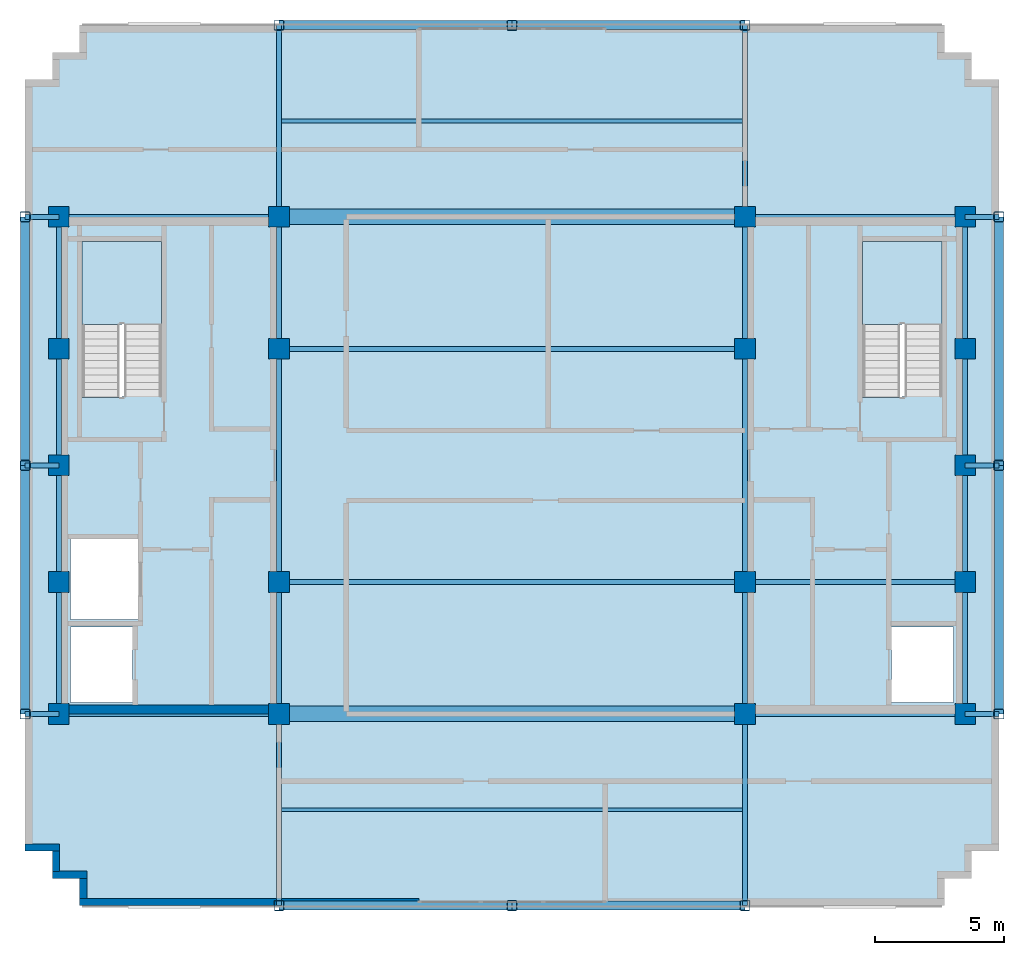
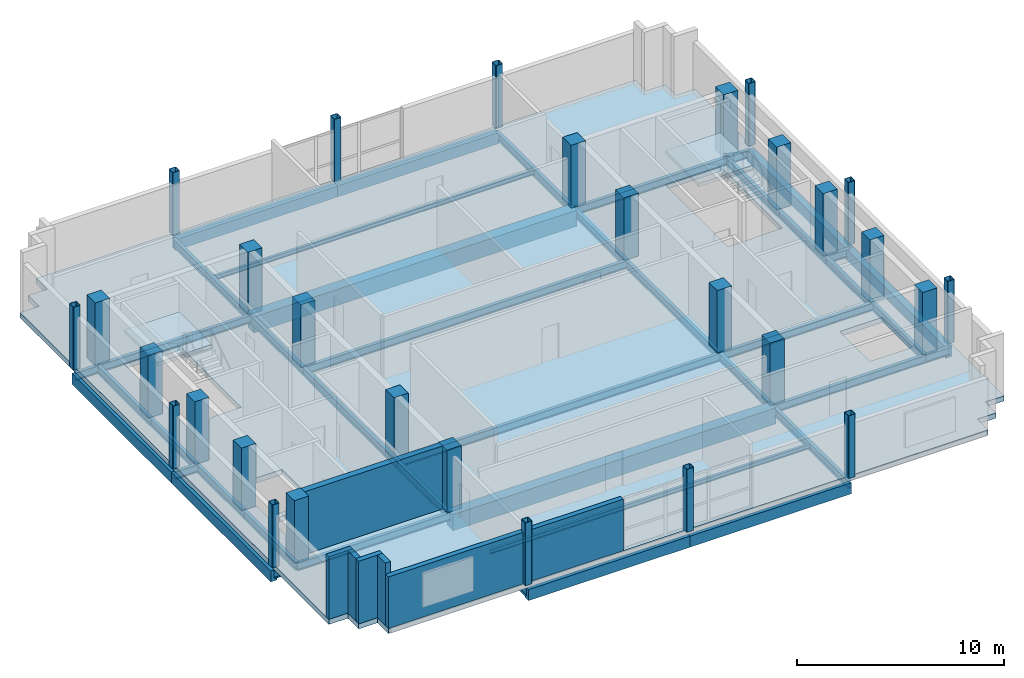
# One storey, part 1 of 10: 43 beams, 30 columns, 6 walls, 3 slabs, 2 elements without a shape of their own.
"""IFC4 building model written with IfcOpenShell, lengths in metres."""

from ifc_helpers import new_model, si_unit, direction, frame, frame_2d, origin, origin_2d, place, context, subcontext, project, spatial, polyline, rectangle, hollow_rectangle, i_section, outline, extrude, material, layer, layer_set, material_profile, profile_set, type_object, element, aggregate, save


model = new_model("IFC4")

# Units and contexts
model_context = context("Model", 3, precision=1e-05, world=origin(), true_north=direction((0.0, 1.0)))
body_context = subcontext(model_context, "Body", "Model", "MODEL_VIEW")
ifc_project = project(units=[si_unit("LENGTHUNIT", "METRE"), si_unit("AREAUNIT", "SQUARE_METRE"), si_unit("VOLUMEUNIT", "CUBIC_METRE"), si_unit("PLANEANGLEUNIT", "RADIAN"), si_unit("MASSUNIT", "GRAM", prefix="KILO")], contexts=[model_context])

# Site, building, storey
site_placement = place(None, origin())
site = spatial("IfcSite", under=ifc_project, at=site_placement, CompositionType="ELEMENT")
building_placement = place(site_placement, origin())
building = spatial("IfcBuilding", under=site, at=building_placement, Name="Nuvemarco Arch Tower", CompositionType="ELEMENT")
storey_placement = place(building_placement, frame((0.0, 0.0, 295.14990234375)))
storey = spatial("IfcBuildingStorey", under=building, at=storey_placement, Name="L78", CompositionType="ELEMENT", Elevation=295.14990234375)

# Columns
ifc_material_1 = material(Name="Concrete C50/60", Category="concrete")
ifc_material_profile_1 = material_profile(ifc_material_1, rectangle(XDim=0.800048828125, YDim=0.800048828125, at=origin_2d()), Name="RC-COL-800x800")
ifc_profile_set_1 = profile_set([ifc_material_profile_1], Name="Concrete C50/60")
column_type_1 = type_object("IfcColumnType", Name="COL-CORE-800", PredefinedType="COLUMN", material=ifc_profile_set_1)
for number, where, z_axis, x_axis, name in (
    (1, (-17.5, -9.60009765625, 0.0), (0.0, 0.0, 1.0), (1.0, 0.0, 0.0), "L78 column CC_-17.5_-9.6"),
    (2, (-17.5, -4.5, 0.0), (0.0, 0.0, 1.0), (1.0, 0.0, 0.0), "L78 column CC_-17.5_-4.5"),
    (3, (-17.5, 4.5, 0.0), (0.0, 0.0, 1.0), (1.0, 0.0, 0.0), "L78 column CC_-17.5_+4.5"),
    (4, (-17.5, 9.60009765625, 0.0), (0.0, 0.0, 1.0), (1.0, 0.0, 0.0), "L78 column CC_-17.5_+9.6"),
    (5, (-9.0, -9.60009765625, 0.0), (0.0, 0.0, 1.0), (1.0, 0.0, 0.0), "L78 column CC_-9.0_-9.6"),
    (6, (-9.0, -4.5, 0.0), (0.0, 0.0, 1.0), (1.0, 0.0, 0.0), "L78 column CC_-9.0_-4.5"),
    (7, (-9.0, 4.5, 0.0), (0.0, 0.0, 1.0), (1.0, 0.0, 0.0), "L78 column CC_-9.0_+4.5"),
    (8, (-9.0, 9.60009765625, 0.0), (0.0, 0.0, 1.0), (1.0, 0.0, 0.0), "L78 column CC_-9.0_+9.6"),
    (9, (9.0, -9.60009765625, 0.0), (0.0, 0.0, 1.0), (1.0, 0.0, 0.0), "L78 column CC_+9.0_-9.6"),
    (10, (9.0, -4.5, 0.0), (0.0, 0.0, 1.0), (1.0, 0.0, 0.0), "L78 column CC_+9.0_-4.5"),
    (11, (9.0, 4.5, 0.0), (0.0, 0.0, 1.0), (1.0, 0.0, 0.0), "L78 column CC_+9.0_+4.5"),
    (12, (9.0, 9.60009765625, 0.0), (0.0, 0.0, 1.0), (1.0, 0.0, 0.0), "L78 column CC_+9.0_+9.6"),
    (13, (17.5, -9.60009765625, 0.0), (0.0, 0.0, 1.0), (1.0, 0.0, 0.0), "L78 column CC_+17.5_-9.6"),
    (14, (17.5, -4.5, 0.0), (0.0, 0.0, 1.0), (1.0, 0.0, 0.0), "L78 column CC_+17.5_-4.5"),
    (15, (17.5, 4.5, 0.0), (0.0, 0.0, 1.0), (1.0, 0.0, 0.0), "L78 column CC_+17.5_+4.5"),
    (16, (17.5, 9.60009765625, 0.0), (0.0, 0.0, 1.0), (1.0, 0.0, 0.0), "L78 column CC_+17.5_+9.6"),
    (17, (-17.5, 0.0, 0.0), (0.0, 0.0, 1.0), (1.0, 0.0, 0.0), "L78 column CC_-17.5_+0.0"),
    (18, (17.5, 0.0, 0.0), (0.0, 0.0, 1.0), (1.0, 0.0, 0.0), "L78 column CC_+17.5_+0.0"),
):
    element("IfcColumn", number, at=place(storey_placement, frame(where, z_axis=z_axis, x_axis=x_axis)), inside=storey, type_object=column_type_1, Name=name, PredefinedType="COLUMN", context=body_context, shape_type="SweptSolid", body=[
        extrude(rectangle(XDim=0.800048828125, YDim=0.800048828125, at=origin_2d()), origin(), (0.0, 0.0, 1.0), 3.7001953125),
    ])
ifc_material_2 = material(Name="Steel S355", Category="steel")
ifc_material_profile_2 = material_profile(ifc_material_2, hollow_rectangle(XDim=0.39990234375, YDim=0.39990234375, WallThickness=0.02490234375, InnerFilletRadius=0.02490234375, OuterFilletRadius=0.050048828125, at=origin_2d()), Name="SHS400x400x25")
ifc_profile_set_2 = profile_set([ifc_material_profile_2], Name="Steel S355")
column_type_2 = type_object("IfcColumnType", Name="COL-EXO-400", PredefinedType="COLUMN", material=ifc_profile_set_2)
for number, where, z_axis, x_axis, name in (
    (19, (-18.800048828125, -9.60009765625, 0.0), (0.0, 0.0, 1.0), (1.0, 0.0, 0.0), "L78 column CX_-18.8_-9.6"),
    (20, (-18.800048828125, 0.0, 0.0), (0.0, 0.0, 1.0), (1.0, 0.0, 0.0), "L78 column CX_-18.8_+0.0"),
    (21, (-18.800048828125, 9.60009765625, 0.0), (0.0, 0.0, 1.0), (1.0, 0.0, 0.0), "L78 column CX_-18.8_+9.6"),
    (22, (18.800048828125, -9.60009765625, 0.0), (0.0, 0.0, 1.0), (1.0, 0.0, 0.0), "L78 column CX_+18.8_-9.6"),
    (23, (18.800048828125, 0.0, 0.0), (0.0, 0.0, 1.0), (1.0, 0.0, 0.0), "L78 column CX_+18.8_+0.0"),
    (24, (18.800048828125, 9.60009765625, 0.0), (0.0, 0.0, 1.0), (1.0, 0.0, 0.0), "L78 column CX_+18.8_+9.6"),
    (25, (-9.0, -17.0, 0.0), (0.0, 0.0, 1.0), (1.0, 0.0, 0.0), "L78 column CY_-9.0_-17.0"),
    (26, (0.0, -17.0, 0.0), (0.0, 0.0, 1.0), (1.0, 0.0, 0.0), "L78 column CY_+0.0_-17.0"),
    (27, (9.0, -17.0, 0.0), (0.0, 0.0, 1.0), (1.0, 0.0, 0.0), "L78 column CY_+9.0_-17.0"),
    (28, (-9.0, 17.0, 0.0), (0.0, 0.0, 1.0), (1.0, 0.0, 0.0), "L78 column CY_-9.0_+17.0"),
    (29, (0.0, 17.0, 0.0), (0.0, 0.0, 1.0), (1.0, 0.0, 0.0), "L78 column CY_+0.0_+17.0"),
    (30, (9.0, 17.0, 0.0), (0.0, 0.0, 1.0), (1.0, 0.0, 0.0), "L78 column CY_+9.0_+17.0"),
):
    element("IfcColumn", number, at=place(storey_placement, frame(where, z_axis=z_axis, x_axis=x_axis)), inside=storey, type_object=column_type_2, Name=name, PredefinedType="COLUMN", context=body_context, shape_type="SweptSolid", body=[
        extrude(hollow_rectangle(XDim=0.39990234375, YDim=0.39990234375, WallThickness=0.02490234375, InnerFilletRadius=0.02490234375, OuterFilletRadius=0.050048828125, at=origin_2d()), origin(), (0.0, 0.0, 1.0), 3.7001953125),
    ])

# Beams
ifc_material_3 = material(Name="Concrete C60/75", Category="concrete")
ifc_material_profile_3 = material_profile(ifc_material_3, rectangle(XDim=0.60009765625, YDim=0.949951171875, at=origin_2d()), Name="RC-BM-600x950")
ifc_profile_set_3 = profile_set([ifc_material_profile_3], Name="Concrete C60/75")
beam_type_1 = type_object("IfcBeamType", Name="BM-COUP-RC", PredefinedType="LINTEL", material=ifc_profile_set_3)
for number, where, z_axis, x_axis, name in (
    (31, (-9.0, -9.60009765625, -0.77490234375), (1.0, 0.0, 0.0), (0.0, 1.0, 0.0), "L78 structural beam BGEW_L78_0_-9.6_-9.0"),
    (32, (-9.0, 9.60009765625, -0.77490234375), (1.0, 0.0, 0.0), (0.0, 1.0, 0.0), "L78 structural beam BGEW_L78_0_+9.6_-9.0"),
):
    element("IfcBeam", number, at=place(storey_placement, frame(where, z_axis=z_axis, x_axis=x_axis)), inside=storey, type_object=beam_type_1, Name=name, PredefinedType="LINTEL", context=body_context, shape_type="SweptSolid", body=[
        extrude(rectangle(XDim=0.60009765625, YDim=0.949951171875, at=origin_2d()), origin(), (0.0, 0.0, 1.0), 18.0),
    ])
ifc_material_profile_4 = material_profile(ifc_material_2, i_section(OverallWidth=0.19189453125, OverallDepth=0.462890625, WebThickness=0.010498046875, FlangeThickness=0.017578125, FilletRadius=0.014892578125, at=origin_2d()), Name="W460x89")
ifc_profile_set_4 = profile_set([ifc_material_profile_4], Name="Steel S355")
beam_type_2 = type_object("IfcBeamType", Name="BM-GIRD-460", PredefinedType="BEAM", material=ifc_profile_set_4)
beam_1_placement = place(storey_placement, frame((-17.5, -9.60009765625, -0.531494140625), z_axis=(0.0, 1.0, 0.0), x_axis=(-1.0, 0.0, 0.0)))
element("IfcBeam", 33, at=beam_1_placement, inside=storey, type_object=beam_type_2, Name="L78 structural beam BGNS_L78_0_-17.5_-9.6", PredefinedType="BEAM", context=body_context, shape_type="SweptSolid", body=[
    extrude(i_section(OverallWidth=0.19189453125, OverallDepth=0.462890625, WebThickness=0.010498046875, FlangeThickness=0.017578125, FilletRadius=0.014892578125, at=origin_2d()), origin(), (0.0, 0.0, 1.0), 5.10009765625),
])
for number, where, z_axis, x_axis, name in (
    (34, (-17.5, -4.5, -0.531494140625), (0.0, 1.0, 0.0), (-1.0, 0.0, 0.0), "L78 structural beam BGNS_L78_0_-17.5_-4.5"),
    (35, (-17.5, 0.0, -0.531494140625), (0.0, 1.0, 0.0), (-1.0, 0.0, 0.0), "L78 structural beam BGNS_L78_0_-17.5_+0.0"),
):
    element("IfcBeam", number, at=place(storey_placement, frame(where, z_axis=z_axis, x_axis=x_axis)), inside=storey, type_object=beam_type_2, Name=name, PredefinedType="BEAM", context=body_context, shape_type="SweptSolid", body=[
        extrude(i_section(OverallWidth=0.19189453125, OverallDepth=0.462890625, WebThickness=0.010498046875, FlangeThickness=0.017578125, FilletRadius=0.014892578125, at=origin_2d()), origin(), (0.0, 0.0, 1.0), 4.5),
    ])
beam_2_placement = place(storey_placement, frame((-17.5, 4.5, -0.531494140625), z_axis=(0.0, 1.0, 0.0), x_axis=(-1.0, 0.0, 0.0)))
element("IfcBeam", 36, at=beam_2_placement, inside=storey, type_object=beam_type_2, Name="L78 structural beam BGNS_L78_0_-17.5_+4.5", PredefinedType="BEAM", context=body_context, shape_type="SweptSolid", body=[
    extrude(i_section(OverallWidth=0.19189453125, OverallDepth=0.462890625, WebThickness=0.010498046875, FlangeThickness=0.017578125, FilletRadius=0.014892578125, at=origin_2d()), origin(), (0.0, 0.0, 1.0), 5.10009765625),
])
beam_3_placement = place(storey_placement, frame((-9.0, -17.0, -0.531494140625), z_axis=(0.0, 1.0, 0.0), x_axis=(-1.0, 0.0, 0.0)))
element("IfcBeam", 37, at=beam_3_placement, inside=storey, type_object=beam_type_2, Name="L78 structural beam BGNS_L78_0_-9.0_-17.0", PredefinedType="BEAM", context=body_context, shape_type="SweptSolid", body=[
    extrude(i_section(OverallWidth=0.19189453125, OverallDepth=0.462890625, WebThickness=0.010498046875, FlangeThickness=0.017578125, FilletRadius=0.014892578125, at=origin_2d()), origin(), (0.0, 0.0, 1.0), 7.39990234375),
])
beam_4_placement = place(storey_placement, frame((-9.0, -9.60009765625, -0.531494140625), z_axis=(0.0, 1.0, 0.0), x_axis=(-1.0, 0.0, 0.0)))
element("IfcBeam", 38, at=beam_4_placement, inside=storey, type_object=beam_type_2, Name="L78 structural beam BGNS_L78_0_-9.0_-9.6", PredefinedType="BEAM", context=body_context, shape_type="SweptSolid", body=[
    extrude(i_section(OverallWidth=0.19189453125, OverallDepth=0.462890625, WebThickness=0.010498046875, FlangeThickness=0.017578125, FilletRadius=0.014892578125, at=origin_2d()), origin(), (0.0, 0.0, 1.0), 5.10009765625),
])
beam_5_placement = place(storey_placement, frame((-9.0, -4.5, -0.531494140625), z_axis=(0.0, 1.0, 0.0), x_axis=(-1.0, 0.0, 0.0)))
element("IfcBeam", 39, at=beam_5_placement, inside=storey, type_object=beam_type_2, Name="L78 structural beam BGNS_L78_0_-9.0_-4.5", PredefinedType="BEAM", context=body_context, shape_type="SweptSolid", body=[
    extrude(i_section(OverallWidth=0.19189453125, OverallDepth=0.462890625, WebThickness=0.010498046875, FlangeThickness=0.017578125, FilletRadius=0.014892578125, at=origin_2d()), origin(), (0.0, 0.0, 1.0), 9.0),
])
beam_6_placement = place(storey_placement, frame((-9.0, 4.5, -0.531494140625), z_axis=(0.0, 1.0, 0.0), x_axis=(-1.0, 0.0, 0.0)))
element("IfcBeam", 40, at=beam_6_placement, inside=storey, type_object=beam_type_2, Name="L78 structural beam BGNS_L78_0_-9.0_+4.5", PredefinedType="BEAM", context=body_context, shape_type="SweptSolid", body=[
    extrude(i_section(OverallWidth=0.19189453125, OverallDepth=0.462890625, WebThickness=0.010498046875, FlangeThickness=0.017578125, FilletRadius=0.014892578125, at=origin_2d()), origin(), (0.0, 0.0, 1.0), 5.10009765625),
])
for number, where, z_axis, x_axis, name in (
    (41, (-9.0, 9.60009765625, -0.531494140625), (0.0, 1.0, 0.0), (-1.0, 0.0, 0.0), "L78 structural beam BGNS_L78_0_-9.0_+9.6"),
    (42, (9.0, -17.0, -0.531494140625), (0.0, 1.0, 0.0), (-1.0, 0.0, 0.0), "L78 structural beam BGNS_L78_0_+9.0_-17.0"),
):
    element("IfcBeam", number, at=place(storey_placement, frame(where, z_axis=z_axis, x_axis=x_axis)), inside=storey, type_object=beam_type_2, Name=name, PredefinedType="BEAM", context=body_context, shape_type="SweptSolid", body=[
        extrude(i_section(OverallWidth=0.19189453125, OverallDepth=0.462890625, WebThickness=0.010498046875, FlangeThickness=0.017578125, FilletRadius=0.014892578125, at=origin_2d()), origin(), (0.0, 0.0, 1.0), 7.39990234375),
    ])
beam_7_placement = place(storey_placement, frame((9.0, -9.60009765625, -0.531494140625), z_axis=(0.0, 1.0, 0.0), x_axis=(-1.0, 0.0, 0.0)))
element("IfcBeam", 43, at=beam_7_placement, inside=storey, type_object=beam_type_2, Name="L78 structural beam BGNS_L78_0_+9.0_-9.6", PredefinedType="BEAM", context=body_context, shape_type="SweptSolid", body=[
    extrude(i_section(OverallWidth=0.19189453125, OverallDepth=0.462890625, WebThickness=0.010498046875, FlangeThickness=0.017578125, FilletRadius=0.014892578125, at=origin_2d()), origin(), (0.0, 0.0, 1.0), 5.10009765625),
])
beam_8_placement = place(storey_placement, frame((9.0, -4.5, -0.531494140625), z_axis=(0.0, 1.0, 0.0), x_axis=(-1.0, 0.0, 0.0)))
element("IfcBeam", 44, at=beam_8_placement, inside=storey, type_object=beam_type_2, Name="L78 structural beam BGNS_L78_0_+9.0_-4.5", PredefinedType="BEAM", context=body_context, shape_type="SweptSolid", body=[
    extrude(i_section(OverallWidth=0.19189453125, OverallDepth=0.462890625, WebThickness=0.010498046875, FlangeThickness=0.017578125, FilletRadius=0.014892578125, at=origin_2d()), origin(), (0.0, 0.0, 1.0), 9.0),
])
beam_9_placement = place(storey_placement, frame((9.0, 4.5, -0.531494140625), z_axis=(0.0, 1.0, 0.0), x_axis=(-1.0, 0.0, 0.0)))
element("IfcBeam", 45, at=beam_9_placement, inside=storey, type_object=beam_type_2, Name="L78 structural beam BGNS_L78_0_+9.0_+4.5", PredefinedType="BEAM", context=body_context, shape_type="SweptSolid", body=[
    extrude(i_section(OverallWidth=0.19189453125, OverallDepth=0.462890625, WebThickness=0.010498046875, FlangeThickness=0.017578125, FilletRadius=0.014892578125, at=origin_2d()), origin(), (0.0, 0.0, 1.0), 5.10009765625),
])
beam_10_placement = place(storey_placement, frame((9.0, 9.60009765625, -0.531494140625), z_axis=(0.0, 1.0, 0.0), x_axis=(-1.0, 0.0, 0.0)))
element("IfcBeam", 46, at=beam_10_placement, inside=storey, type_object=beam_type_2, Name="L78 structural beam BGNS_L78_0_+9.0_+9.6", PredefinedType="BEAM", context=body_context, shape_type="SweptSolid", body=[
    extrude(i_section(OverallWidth=0.19189453125, OverallDepth=0.462890625, WebThickness=0.010498046875, FlangeThickness=0.017578125, FilletRadius=0.014892578125, at=origin_2d()), origin(), (0.0, 0.0, 1.0), 7.39990234375),
])
beam_11_placement = place(storey_placement, frame((17.5, -9.60009765625, -0.531494140625), z_axis=(0.0, 1.0, 0.0), x_axis=(-1.0, 0.0, 0.0)))
element("IfcBeam", 47, at=beam_11_placement, inside=storey, type_object=beam_type_2, Name="L78 structural beam BGNS_L78_0_+17.5_-9.6", PredefinedType="BEAM", context=body_context, shape_type="SweptSolid", body=[
    extrude(i_section(OverallWidth=0.19189453125, OverallDepth=0.462890625, WebThickness=0.010498046875, FlangeThickness=0.017578125, FilletRadius=0.014892578125, at=origin_2d()), origin(), (0.0, 0.0, 1.0), 5.10009765625),
])
for number, where, z_axis, x_axis, name in (
    (48, (17.5, -4.5, -0.531494140625), (0.0, 1.0, 0.0), (-1.0, 0.0, 0.0), "L78 structural beam BGNS_L78_0_+17.5_-4.5"),
    (49, (17.5, 0.0, -0.531494140625), (0.0, 1.0, 0.0), (-1.0, 0.0, 0.0), "L78 structural beam BGNS_L78_0_+17.5_+0.0"),
):
    element("IfcBeam", number, at=place(storey_placement, frame(where, z_axis=z_axis, x_axis=x_axis)), inside=storey, type_object=beam_type_2, Name=name, PredefinedType="BEAM", context=body_context, shape_type="SweptSolid", body=[
        extrude(i_section(OverallWidth=0.19189453125, OverallDepth=0.462890625, WebThickness=0.010498046875, FlangeThickness=0.017578125, FilletRadius=0.014892578125, at=origin_2d()), origin(), (0.0, 0.0, 1.0), 4.5),
    ])
beam_12_placement = place(storey_placement, frame((17.5, 4.5, -0.531494140625), z_axis=(0.0, 1.0, 0.0), x_axis=(-1.0, 0.0, 0.0)))
element("IfcBeam", 50, at=beam_12_placement, inside=storey, type_object=beam_type_2, Name="L78 structural beam BGNS_L78_0_+17.5_+4.5", PredefinedType="BEAM", context=body_context, shape_type="SweptSolid", body=[
    extrude(i_section(OverallWidth=0.19189453125, OverallDepth=0.462890625, WebThickness=0.010498046875, FlangeThickness=0.017578125, FilletRadius=0.014892578125, at=origin_2d()), origin(), (0.0, 0.0, 1.0), 5.10009765625),
])
beam_13_placement = place(storey_placement, frame((-18.800048828125, -9.60009765625, -0.531494140625), z_axis=(1.0, 0.0, 0.0), x_axis=(0.0, 1.0, 0.0)))
element("IfcBeam", 51, at=beam_13_placement, inside=storey, type_object=beam_type_2, Name="L78 structural beam BGEW_L78_0_-9.6_-18.8", PredefinedType="BEAM", context=body_context, shape_type="SweptSolid", body=[
    extrude(i_section(OverallWidth=0.19189453125, OverallDepth=0.462890625, WebThickness=0.010498046875, FlangeThickness=0.017578125, FilletRadius=0.014892578125, at=origin_2d()), origin(), (0.0, 0.0, 1.0), 1.300048828125),
])
for number, where, z_axis, x_axis, name in (
    (52, (-17.5, -9.60009765625, -0.531494140625), (1.0, 0.0, 0.0), (0.0, 1.0, 0.0), "L78 structural beam BGEW_L78_0_-9.6_-17.5"),
    (53, (9.0, -9.60009765625, -0.531494140625), (1.0, 0.0, 0.0), (0.0, 1.0, 0.0), "L78 structural beam BGEW_L78_0_-9.6_+9.0"),
):
    element("IfcBeam", number, at=place(storey_placement, frame(where, z_axis=z_axis, x_axis=x_axis)), inside=storey, type_object=beam_type_2, Name=name, PredefinedType="BEAM", context=body_context, shape_type="SweptSolid", body=[
        extrude(i_section(OverallWidth=0.19189453125, OverallDepth=0.462890625, WebThickness=0.010498046875, FlangeThickness=0.017578125, FilletRadius=0.014892578125, at=origin_2d()), origin(), (0.0, 0.0, 1.0), 8.5),
    ])
beam_14_placement = place(storey_placement, frame((17.5, -9.60009765625, -0.531494140625), z_axis=(1.0, 0.0, 0.0), x_axis=(0.0, 1.0, 0.0)))
element("IfcBeam", 54, at=beam_14_placement, inside=storey, type_object=beam_type_2, Name="L78 structural beam BGEW_L78_0_-9.6_+17.5", PredefinedType="BEAM", context=body_context, shape_type="SweptSolid", body=[
    extrude(i_section(OverallWidth=0.19189453125, OverallDepth=0.462890625, WebThickness=0.010498046875, FlangeThickness=0.017578125, FilletRadius=0.014892578125, at=origin_2d()), origin(), (0.0, 0.0, 1.0), 1.300048828125),
])
beam_15_placement = place(storey_placement, frame((-9.0, -4.5, -0.531494140625), z_axis=(1.0, 0.0, 0.0), x_axis=(0.0, 1.0, 0.0)))
element("IfcBeam", 55, at=beam_15_placement, inside=storey, type_object=beam_type_2, Name="L78 structural beam BGEW_L78_0_-4.5_-9.0", PredefinedType="BEAM", context=body_context, shape_type="SweptSolid", body=[
    extrude(i_section(OverallWidth=0.19189453125, OverallDepth=0.462890625, WebThickness=0.010498046875, FlangeThickness=0.017578125, FilletRadius=0.014892578125, at=origin_2d()), origin(), (0.0, 0.0, 1.0), 18.0),
])
beam_16_placement = place(storey_placement, frame((9.0, -4.5, -0.531494140625), z_axis=(1.0, 0.0, 0.0), x_axis=(0.0, 1.0, 0.0)))
element("IfcBeam", 56, at=beam_16_placement, inside=storey, type_object=beam_type_2, Name="L78 structural beam BGEW_L78_0_-4.5_+9.0", PredefinedType="BEAM", context=body_context, shape_type="SweptSolid", body=[
    extrude(i_section(OverallWidth=0.19189453125, OverallDepth=0.462890625, WebThickness=0.010498046875, FlangeThickness=0.017578125, FilletRadius=0.014892578125, at=origin_2d()), origin(), (0.0, 0.0, 1.0), 8.5),
])
for number, where, z_axis, x_axis, name in (
    (57, (-18.800048828125, 0.0, -0.531494140625), (1.0, 0.0, 0.0), (0.0, 1.0, 0.0), "L78 structural beam BGEW_L78_0_+0.0_-18.8"),
    (58, (17.5, 0.0, -0.531494140625), (1.0, 0.0, 0.0), (0.0, 1.0, 0.0), "L78 structural beam BGEW_L78_0_+0.0_+17.5"),
):
    element("IfcBeam", number, at=place(storey_placement, frame(where, z_axis=z_axis, x_axis=x_axis)), inside=storey, type_object=beam_type_2, Name=name, PredefinedType="BEAM", context=body_context, shape_type="SweptSolid", body=[
        extrude(i_section(OverallWidth=0.19189453125, OverallDepth=0.462890625, WebThickness=0.010498046875, FlangeThickness=0.017578125, FilletRadius=0.014892578125, at=origin_2d()), origin(), (0.0, 0.0, 1.0), 1.300048828125),
    ])
beam_17_placement = place(storey_placement, frame((-9.0, 4.5, -0.531494140625), z_axis=(1.0, 0.0, 0.0), x_axis=(0.0, 1.0, 0.0)))
element("IfcBeam", 59, at=beam_17_placement, inside=storey, type_object=beam_type_2, Name="L78 structural beam BGEW_L78_0_+4.5_-9.0", PredefinedType="BEAM", context=body_context, shape_type="SweptSolid", body=[
    extrude(i_section(OverallWidth=0.19189453125, OverallDepth=0.462890625, WebThickness=0.010498046875, FlangeThickness=0.017578125, FilletRadius=0.014892578125, at=origin_2d()), origin(), (0.0, 0.0, 1.0), 18.0),
])
beam_18_placement = place(storey_placement, frame((-18.800048828125, 9.60009765625, -0.531494140625), z_axis=(1.0, 0.0, 0.0), x_axis=(0.0, 1.0, 0.0)))
element("IfcBeam", 60, at=beam_18_placement, inside=storey, type_object=beam_type_2, Name="L78 structural beam BGEW_L78_0_+9.6_-18.8", PredefinedType="BEAM", context=body_context, shape_type="SweptSolid", body=[
    extrude(i_section(OverallWidth=0.19189453125, OverallDepth=0.462890625, WebThickness=0.010498046875, FlangeThickness=0.017578125, FilletRadius=0.014892578125, at=origin_2d()), origin(), (0.0, 0.0, 1.0), 1.300048828125),
])
for number, where, z_axis, x_axis, name in (
    (61, (-17.5, 9.60009765625, -0.531494140625), (1.0, 0.0, 0.0), (0.0, 1.0, 0.0), "L78 structural beam BGEW_L78_0_+9.6_-17.5"),
    (62, (9.0, 9.60009765625, -0.531494140625), (1.0, 0.0, 0.0), (0.0, 1.0, 0.0), "L78 structural beam BGEW_L78_0_+9.6_+9.0"),
):
    element("IfcBeam", number, at=place(storey_placement, frame(where, z_axis=z_axis, x_axis=x_axis)), inside=storey, type_object=beam_type_2, Name=name, PredefinedType="BEAM", context=body_context, shape_type="SweptSolid", body=[
        extrude(i_section(OverallWidth=0.19189453125, OverallDepth=0.462890625, WebThickness=0.010498046875, FlangeThickness=0.017578125, FilletRadius=0.014892578125, at=origin_2d()), origin(), (0.0, 0.0, 1.0), 8.5),
    ])
beam_19_placement = place(storey_placement, frame((17.5, 9.60009765625, -0.531494140625), z_axis=(1.0, 0.0, 0.0), x_axis=(0.0, 1.0, 0.0)))
element("IfcBeam", 63, at=beam_19_placement, inside=storey, type_object=beam_type_2, Name="L78 structural beam BGEW_L78_0_+9.6_+17.5", PredefinedType="BEAM", context=body_context, shape_type="SweptSolid", body=[
    extrude(i_section(OverallWidth=0.19189453125, OverallDepth=0.462890625, WebThickness=0.010498046875, FlangeThickness=0.017578125, FilletRadius=0.014892578125, at=origin_2d()), origin(), (0.0, 0.0, 1.0), 1.300048828125),
])
ifc_material_profile_5 = material_profile(ifc_material_2, i_section(OverallWidth=0.14794921875, OverallDepth=0.26611328125, WebThickness=0.007568359375, FlangeThickness=0.012939453125, FilletRadius=0.010009765625, at=origin_2d()), Name="W250x44.8")
ifc_profile_set_5 = profile_set([ifc_material_profile_5], Name="Steel S355")
beam_type_3 = type_object("IfcBeamType", Name="BM-JOIST-250", PredefinedType="JOIST", material=ifc_profile_set_5)
for number, where, z_axis, x_axis, name in (
    (64, (-8.904052734375, -13.300048828125, -0.432861328125), (1.0, 0.0, 0.0), (0.0, 1.0, 0.0), "L78 structural beam BJ_L78_0_-13.3_-9.0"),
    (65, (-8.904052734375, 13.300048828125, -0.432861328125), (1.0, 0.0, 0.0), (0.0, 1.0, 0.0), "L78 structural beam BJ_L78_0_+13.3_-9.0"),
):
    element("IfcBeam", number, at=place(storey_placement, frame(where, z_axis=z_axis, x_axis=x_axis)), inside=storey, type_object=beam_type_3, Name=name, PredefinedType="JOIST", context=body_context, shape_type="SweptSolid", body=[
        extrude(i_section(OverallWidth=0.14794921875, OverallDepth=0.26611328125, WebThickness=0.007568359375, FlangeThickness=0.012939453125, FilletRadius=0.010009765625, at=origin_2d()), origin(), (0.0, 0.0, 1.0), 17.80810546875),
    ])
ifc_material_4 = material(Name="Precast concrete C45/55", Category="concrete")
ifc_material_profile_6 = material_profile(ifc_material_4, rectangle(XDim=0.35009765625, YDim=0.64990234375, at=origin_2d()), Name="PC-SP-350x650")
ifc_profile_set_6 = profile_set([ifc_material_profile_6], Name="Precast concrete C45/55")
beam_type_4 = type_object("IfcBeamType", Name="BM-SPAN-RC", PredefinedType="SPANDREL", material=ifc_profile_set_6)
for number, where, z_axis, x_axis, name in (
    (66, (-18.800048828125, -9.60009765625, -0.625), (0.0, 1.0, 0.0), (-1.0, 0.0, 0.0), "L78 structural beam BGNS_L78_0_-18.8_-9.6"),
    (67, (-18.800048828125, 0.0, -0.625), (0.0, 1.0, 0.0), (-1.0, 0.0, 0.0), "L78 structural beam BGNS_L78_0_-18.8_+0.0"),
    (68, (18.800048828125, -9.60009765625, -0.625), (0.0, 1.0, 0.0), (-1.0, 0.0, 0.0), "L78 structural beam BGNS_L78_0_+18.8_-9.6"),
    (69, (18.800048828125, 0.0, -0.625), (0.0, 1.0, 0.0), (-1.0, 0.0, 0.0), "L78 structural beam BGNS_L78_0_+18.8_+0.0"),
):
    element("IfcBeam", number, at=place(storey_placement, frame(where, z_axis=z_axis, x_axis=x_axis)), inside=storey, type_object=beam_type_4, Name=name, PredefinedType="SPANDREL", context=body_context, shape_type="SweptSolid", body=[
        extrude(rectangle(XDim=0.35009765625, YDim=0.64990234375, at=origin_2d()), origin(), (0.0, 0.0, 1.0), 9.60009765625),
    ])
for number, where, z_axis, x_axis, name in (
    (70, (-9.0, -17.0, -0.625), (1.0, 0.0, 0.0), (0.0, 1.0, 0.0), "L78 structural beam BGEW_L78_0_-17.0_-9.0"),
    (71, (0.0, -17.0, -0.625), (1.0, 0.0, 0.0), (0.0, 1.0, 0.0), "L78 structural beam BGEW_L78_0_-17.0_+0.0"),
    (72, (-9.0, 17.0, -0.625), (1.0, 0.0, 0.0), (0.0, 1.0, 0.0), "L78 structural beam BGEW_L78_0_+17.0_-9.0"),
    (73, (0.0, 17.0, -0.625), (1.0, 0.0, 0.0), (0.0, 1.0, 0.0), "L78 structural beam BGEW_L78_0_+17.0_+0.0"),
):
    element("IfcBeam", number, at=place(storey_placement, frame(where, z_axis=z_axis, x_axis=x_axis)), inside=storey, type_object=beam_type_4, Name=name, PredefinedType="SPANDREL", context=body_context, shape_type="SweptSolid", body=[
        extrude(rectangle(XDim=0.35009765625, YDim=0.64990234375, at=origin_2d()), origin(), (0.0, 0.0, 1.0), 9.0),
    ])

# Slab
ifc_layer_1 = layer(ifc_material_1, 0.300048828125, Name="SL-FLR-300")
ifc_layer_set_1 = layer_set([ifc_layer_1], Name="Concrete C50/60")
slab_type_1 = type_object("IfcSlabType", Name="SL-FLR-300", PredefinedType="FLOOR", material=ifc_layer_set_1)
slab_1_placement = place(storey_placement, frame((0.0, 0.0, -0.2998046875)))
element("IfcSlab", 74, at=slab_1_placement, inside=storey, type_object=slab_type_1, Name="L78 structural floor slab", PredefinedType="FLOOR", context=body_context, shape_type="SweptSolid", body=[
    extrude(outline(polyline([(-16.699951171875, -17.0), (16.699951171875, -17.0), (16.699951171875, -15.949951171875), (17.75, -15.949951171875), (17.75, -14.89990234375), (18.800048828125, -14.89990234375), (18.800048828125, 14.89990234375), (17.75, 14.89990234375), (17.75, 15.949951171875), (16.699951171875, 15.949951171875), (16.699951171875, 17.0), (-16.699951171875, 17.0), (-16.699951171875, 15.949951171875), (-17.75, 15.949951171875), (-17.75, 14.89990234375), (-18.800048828125, 14.89990234375), (-18.800048828125, -14.89990234375), (-17.75, -14.89990234375), (-17.75, -15.949951171875), (-16.699951171875, -15.949951171875), (-16.699951171875, -17.0)]), holes=[polyline([(-13.5400390625, 2.669921875), (-13.5400390625, 8.64990234375), (-16.60009765625, 8.64990234375), (-16.60009765625, 2.630615234375), (-15.070068359375, 2.630615234375), (-15.070068359375, 2.669921875), (-13.5400390625, 2.669921875)]), polyline([(16.60009765625, 2.669921875), (16.60009765625, 8.64990234375), (13.5400390625, 8.64990234375), (13.5400390625, 2.630615234375), (15.070068359375, 2.630615234375), (15.070068359375, 2.669921875), (16.60009765625, 2.669921875)]), polyline([(-17.050048828125, -9.14990234375), (-14.64990234375, -9.14990234375), (-14.64990234375, -6.25), (-17.050048828125, -6.25), (-17.050048828125, -9.14990234375)]), polyline([(-17.050048828125, -5.949951171875), (-14.449951171875, -5.949951171875), (-14.449951171875, -2.85009765625), (-17.050048828125, -2.85009765625), (-17.050048828125, -5.949951171875)]), polyline([(14.64990234375, -9.14990234375), (17.050048828125, -9.14990234375), (17.050048828125, -6.25), (14.64990234375, -6.25), (14.64990234375, -9.14990234375)])]), origin(), (0.0, 0.0, 1.0), 0.2998046875),
])

# Stair, slab
stair_type = type_object("IfcStairType", Name="ST-CORE-22R", PredefinedType="HALF_TURN_STAIR", material=ifc_material_4)
stair_1_placement = place(storey_placement, origin())
stair_1 = element("IfcStair", 75, at=stair_1_placement, inside=storey, type_object=stair_type, Name="L78 Protected Exit Stair ST-1", PredefinedType="HALF_TURN_STAIR")
ifc_layer_2 = layer(ifc_material_4, 0.199951171875, Name="SL-LANDING-200")
ifc_layer_set_2 = layer_set([ifc_layer_2], Name="Precast concrete C45/55")
slab_type_2 = type_object("IfcSlabType", Name="SL-LANDING-200", PredefinedType="LANDING", material=ifc_layer_set_2)
slab_2_placement = place(storey_placement, frame((0.0, 0.0, 1.800048828125)))
slab_2 = element("IfcSlab", 76, at=slab_2_placement, type_object=slab_type_2, Name="ST-22R landing 1", PredefinedType="LANDING", context=body_context, shape_type="SweptSolid", body=[
    extrude(outline(polyline([(-13.5400390625, 5.469482421875), (-13.5400390625, 8.64990234375), (-16.60009765625, 8.64990234375), (-16.60009765625, 5.449951171875), (-15.070068359375, 5.449951171875), (-15.070068359375, 5.469482421875), (-13.5400390625, 5.469482421875)])), origin(), (0.0, 0.0, 1.0), 0.199951171875),
])
aggregate(stair_1, [slab_2])

stair_2_placement = place(storey_placement, origin())
stair_2 = element("IfcStair", 77, at=stair_2_placement, inside=storey, type_object=stair_type, Name="L78 Protected Exit Stair ST-2", PredefinedType="HALF_TURN_STAIR")
slab_3_placement = place(storey_placement, frame((0.0, 0.0, 1.800048828125)))
slab_3 = element("IfcSlab", 78, at=slab_3_placement, type_object=slab_type_2, Name="ST-22R landing 1", PredefinedType="LANDING", context=body_context, shape_type="SweptSolid", body=[
    extrude(outline(polyline([(16.60009765625, 5.469482421875), (16.60009765625, 8.64990234375), (13.5400390625, 8.64990234375), (13.5400390625, 5.449951171875), (15.070068359375, 5.449951171875), (15.070068359375, 5.469482421875), (16.60009765625, 5.469482421875)])), origin(), (0.0, 0.0, 1.0), 0.199951171875),
])
aggregate(stair_2, [slab_3])

# Walls
ifc_layer_3 = layer(ifc_material_4, 0.280029296875, Name="EW-CRN-280")
ifc_layer_set_3 = layer_set([ifc_layer_3], Name="Precast concrete C45/55")
wall_type_1 = type_object("IfcWallType", Name="EW-CRN-280", PredefinedType="STANDARD", material=ifc_layer_set_3)
wall_1_placement = place(storey_placement, frame((-16.699951171875, -16.860107421875, 0.0), z_axis=(0.0, 0.0, 1.0), x_axis=(1.0, 0.0, 0.0)))
element("IfcWall", 79, at=wall_1_placement, inside=storey, type_object=wall_type_1, Name="L78 exterior precast pier wall south left", PredefinedType="STANDARD", context=body_context, shape_type="SweptSolid", body=[
    extrude(rectangle(XDim=13.099853515625, YDim=0.280029296875, at=frame_2d((6.5498046875, 0.0))), origin(), (0.0, 0.0, 1.0), 3.03515625),
])
wall_2_placement = place(storey_placement, frame((-18.800048828125, -14.760009765625, 0.0), z_axis=(0.0, 0.0, 1.0), x_axis=(1.0, 0.0, 0.0)))
element("IfcWall", 80, at=wall_2_placement, inside=storey, type_object=wall_type_1, Name="L78 exterior precast facade wall 17", PredefinedType="STANDARD", context=body_context, shape_type="SweptSolid", body=[
    extrude(rectangle(XDim=1.330078125, YDim=0.280029296875, at=frame_2d((0.6650390625, 0.0))), origin(), (0.0, 0.0, 1.0), 3.690185546875),
])
wall_3_placement = place(storey_placement, frame((-17.610107421875, -15.674072265625, 0.0), z_axis=(0.0, 0.0, 1.0), x_axis=(0.0, 1.0, 0.0)))
element("IfcWall", 81, at=wall_3_placement, inside=storey, type_object=wall_type_1, Name="L78 exterior precast facade wall 18", PredefinedType="STANDARD", context=body_context, shape_type="SweptSolid", body=[
    extrude(rectangle(XDim=0.778076171875, YDim=0.280029296875, at=frame_2d((0.38916015625, 0.0))), origin(), (0.0, 0.0, 1.0), 3.690185546875),
])
wall_4_placement = place(storey_placement, frame((-17.75, -15.81005859375, 0.0), z_axis=(0.0, 0.0, 1.0), x_axis=(1.0, 0.0, 0.0)))
element("IfcWall", 82, at=wall_4_placement, inside=storey, type_object=wall_type_1, Name="L78 exterior precast facade wall 19", PredefinedType="STANDARD", context=body_context, shape_type="SweptSolid", body=[
    extrude(rectangle(XDim=1.330078125, YDim=0.280029296875, at=frame_2d((0.6650390625, 0.0))), origin(), (0.0, 0.0, 1.0), 3.690185546875),
])
wall_5_placement = place(storey_placement, frame((-16.56005859375, -16.72412109375, 0.0), z_axis=(0.0, 0.0, 1.0), x_axis=(0.0, 1.0, 0.0)))
element("IfcWall", 83, at=wall_5_placement, inside=storey, type_object=wall_type_1, Name="L78 exterior precast facade wall 20", PredefinedType="STANDARD", context=body_context, shape_type="SweptSolid", body=[
    extrude(rectangle(XDim=0.778076171875, YDim=0.280029296875, at=frame_2d((0.38916015625, 0.0))), origin(), (0.0, 0.0, 1.0), 3.690185546875),
])
ifc_layer_4 = layer(ifc_material_1, 0.35009765625, Name="WL-CORE-350")
ifc_layer_set_4 = layer_set([ifc_layer_4], Name="Concrete C50/60")
wall_type_2 = type_object("IfcWallType", Name="WL-CORE-350", PredefinedType="SHEAR", material=ifc_layer_set_4)
wall_6_placement = place(storey_placement, frame((-17.5, -9.425048828125, 0.0), z_axis=(0.0, 0.0, 1.0), x_axis=(1.0, 0.0, 0.0)))
element("IfcWall", 84, at=wall_6_placement, inside=storey, type_object=wall_type_2, Name="L78 W-core shear wall S", PredefinedType="SHEAR", context=body_context, shape_type="SweptSolid", body=[
    extrude(rectangle(XDim=8.5, YDim=0.35009765625, at=frame_2d((4.25, 0.0))), origin(), (0.0, 0.0, 1.0), 3.7001953125),
])

save(model, "model.ifc")
